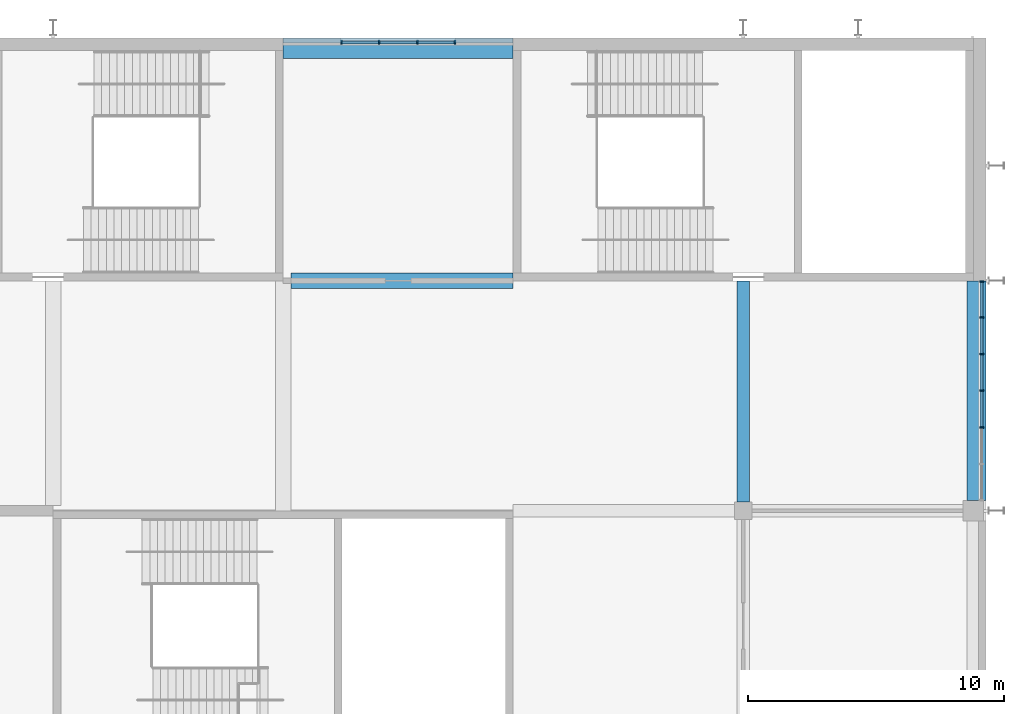
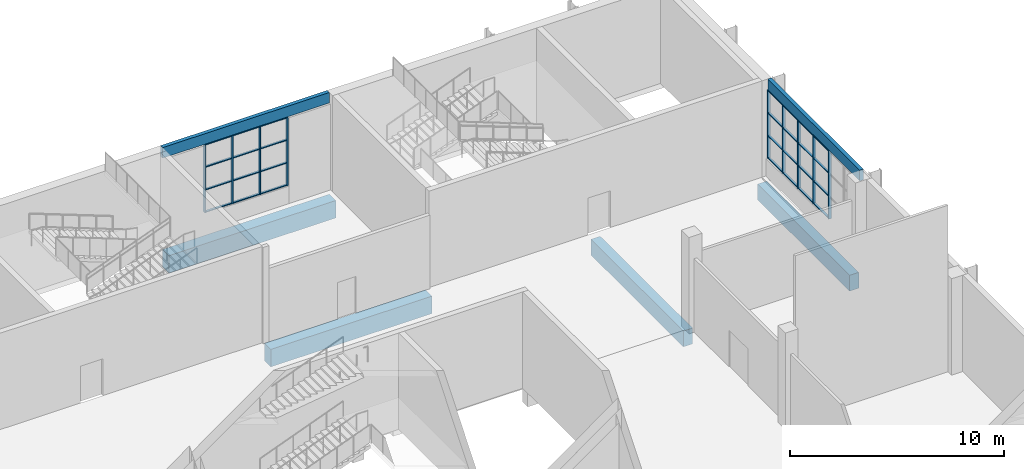
# One storey, part 25 of 84: 37 members, 6 beams, 2 elements without a shape of their own.
"""IFC4 building model written with IfcOpenShell, lengths in metres."""

from ifc_helpers import new_model, si_unit, direction, frame, origin, origin_2d, place, context, subcontext, project, spatial, rectangle, extrude, material, material_profile, profile_set, type_object, element, aggregate, save


model = new_model("IFC4")

# Units and contexts
model_context = context("Model", 3, precision=1e-05, world=origin(), true_north=direction((0.0, 1.0)))
body_context = subcontext(model_context, "Body", "Model", "MODEL_VIEW")
ifc_project = project(units=[si_unit("LENGTHUNIT", "METRE"), si_unit("AREAUNIT", "SQUARE_METRE"), si_unit("VOLUMEUNIT", "CUBIC_METRE"), si_unit("PLANEANGLEUNIT", "RADIAN"), si_unit("MASSUNIT", "GRAM", prefix="KILO")], contexts=[model_context])

# Site, building, storey
site_placement = place(None, origin())
site = spatial("IfcSite", under=ifc_project, at=site_placement, CompositionType="ELEMENT")
building_placement = place(site_placement, origin())
building = spatial("IfcBuilding", under=site, at=building_placement, Name="Silverbay Arena", CompositionType="ELEMENT")
storey_placement = place(building_placement, frame((0.0, 0.0, 28.0)))
storey = spatial("IfcBuildingStorey", under=building, at=storey_placement, Name="L04", CompositionType="ELEMENT", Elevation=28.0)

# Curtain wall, members
ifc_material_1 = material(Name="Aluminium framed curtain wall", Category="aluminium")
curtain_wall_type_1 = type_object("IfcCurtainWallType", Name="Curtain wall 8600 x 3900", PredefinedType="NOTDEFINED", material=ifc_material_1)
curtain_wall_1_placement = place(storey_placement, origin())
curtain_wall_1 = element("IfcCurtainWall", 1, at=curtain_wall_1_placement, inside=storey, type_object=curtain_wall_type_1, Name="East curtain wall L04 bay 13", PredefinedType="NOTDEFINED")
ifc_material_2 = material(Name="Aluminium", Category="aluminium")
ifc_material_profile_1 = material_profile(ifc_material_2, rectangle(XDim=0.159912109375, YDim=0.06005859375, at=origin_2d()), Name="Mullion 60 x 160")
ifc_profile_set_1 = profile_set([ifc_material_profile_1], Name="Aluminium")
member_type_1 = type_object("IfcMemberType", Name="Mullion 60 x 160", PredefinedType="MULLION", material=ifc_profile_set_1)
member_1_placement = place(storey_placement, frame((207.330078125, 129.2666015625, 1.0), z_axis=(0.0, 0.0, 1.0), x_axis=(-1.0, 0.0, 0.0)))
member_1 = element("IfcMember", 2, at=member_1_placement, type_object=member_type_1, Name="CW1 mullion 3", PredefinedType="MULLION", context=body_context, shape_type="SweptSolid", body=[
    extrude(rectangle(XDim=0.159912109375, YDim=0.06005859375, at=origin_2d()), origin(), (0.0, 0.0, 1.0), 3.89990234375),
])
member_2_placement = place(storey_placement, frame((207.330078125, 130.699951171875, 1.0), z_axis=(0.0, 0.0, 1.0), x_axis=(-1.0, 0.0, 0.0)))
member_2 = element("IfcMember", 3, at=member_2_placement, type_object=member_type_1, Name="CW1 mullion 4", PredefinedType="MULLION", context=body_context, shape_type="SweptSolid", body=[
    extrude(rectangle(XDim=0.159912109375, YDim=0.06005859375, at=origin_2d()), origin(), (0.0, 0.0, 1.0), 3.89990234375),
])
member_3_placement = place(storey_placement, frame((207.330078125, 132.13330078125, 1.0), z_axis=(0.0, 0.0, 1.0), x_axis=(-1.0, 0.0, 0.0)))
member_3 = element("IfcMember", 4, at=member_3_placement, type_object=member_type_1, Name="CW1 mullion 5", PredefinedType="MULLION", context=body_context, shape_type="SweptSolid", body=[
    extrude(rectangle(XDim=0.159912109375, YDim=0.06005859375, at=origin_2d()), origin(), (0.0, 0.0, 1.0), 3.89990234375),
])
member_4_placement = place(storey_placement, frame((207.330078125, 133.566650390625, 1.0), z_axis=(0.0, 0.0, 1.0), x_axis=(-1.0, 0.0, 0.0)))
member_4 = element("IfcMember", 5, at=member_4_placement, type_object=member_type_1, Name="CW1 mullion 6", PredefinedType="MULLION", context=body_context, shape_type="SweptSolid", body=[
    extrude(rectangle(XDim=0.159912109375, YDim=0.06005859375, at=origin_2d()), origin(), (0.0, 0.0, 1.0), 3.89990234375),
])
member_5_placement = place(storey_placement, frame((207.330078125, 134.969970703125, 1.0), z_axis=(0.0, 0.0, 1.0), x_axis=(-1.0, 0.0, 0.0)))
member_5 = element("IfcMember", 6, at=member_5_placement, type_object=member_type_1, Name="CW1 mullion 7", PredefinedType="MULLION", context=body_context, shape_type="SweptSolid", body=[
    extrude(rectangle(XDim=0.159912109375, YDim=0.06005859375, at=origin_2d()), origin(), (0.0, 0.0, 1.0), 3.89990234375),
])

ifc_material_3 = material(Name="Aluminium framed curtain wall", Category="aluminium")
curtain_wall_type_2 = type_object("IfcCurtainWallType", Name="Curtain wall 4500 x 3900", PredefinedType="NOTDEFINED", material=ifc_material_3)
curtain_wall_2_placement = place(storey_placement, origin())
curtain_wall_2 = element("IfcCurtainWall", 7, at=curtain_wall_2_placement, inside=storey, type_object=curtain_wall_type_2, Name="North curtain wall L04 bay 15", PredefinedType="NOTDEFINED")
member_6_placement = place(storey_placement, frame((186.719970703125, 144.330078125, 1.0), z_axis=(0.0, 0.0, 1.0), x_axis=(0.0, -1.0, 0.0)))
member_6 = element("IfcMember", 8, at=member_6_placement, type_object=member_type_1, Name="CW15 mullion 1", PredefinedType="MULLION", context=body_context, shape_type="SweptSolid", body=[
    extrude(rectangle(XDim=0.159912109375, YDim=0.06005859375, at=origin_2d()), origin(), (0.0, 0.0, 1.0), 3.89990234375),
])
member_7_placement = place(storey_placement, frame((185.25, 144.330078125, 1.0), z_axis=(0.0, 0.0, 1.0), x_axis=(0.0, -1.0, 0.0)))
member_7 = element("IfcMember", 9, at=member_7_placement, type_object=member_type_1, Name="CW15 mullion 2", PredefinedType="MULLION", context=body_context, shape_type="SweptSolid", body=[
    extrude(rectangle(XDim=0.159912109375, YDim=0.06005859375, at=origin_2d()), origin(), (0.0, 0.0, 1.0), 3.89990234375),
])
member_8_placement = place(storey_placement, frame((183.75, 144.330078125, 1.0), z_axis=(0.0, 0.0, 1.0), x_axis=(0.0, -1.0, 0.0)))
member_8 = element("IfcMember", 10, at=member_8_placement, type_object=member_type_1, Name="CW15 mullion 3", PredefinedType="MULLION", context=body_context, shape_type="SweptSolid", body=[
    extrude(rectangle(XDim=0.159912109375, YDim=0.06005859375, at=origin_2d()), origin(), (0.0, 0.0, 1.0), 3.89990234375),
])
member_9_placement = place(storey_placement, frame((182.280029296875, 144.330078125, 1.0), z_axis=(0.0, 0.0, 1.0), x_axis=(0.0, -1.0, 0.0)))
member_9 = element("IfcMember", 11, at=member_9_placement, type_object=member_type_1, Name="CW15 mullion 4", PredefinedType="MULLION", context=body_context, shape_type="SweptSolid", body=[
    extrude(rectangle(XDim=0.159912109375, YDim=0.06005859375, at=origin_2d()), origin(), (0.0, 0.0, 1.0), 3.89990234375),
])

# Beams
ifc_material_4 = material(Name="Concrete Grade C45", Category="concrete")
ifc_material_profile_2 = material_profile(ifc_material_4, rectangle(XDim=0.5, YDim=0.89990234375, at=origin_2d()), Name="RC 500x900")
ifc_profile_set_2 = profile_set([ifc_material_profile_2], Name="Concrete Grade C45")
beam_type_1 = type_object("IfcBeamType", Name="RC beam 500x900", PredefinedType="BEAM", material=ifc_profile_set_2)
beam_1_placement = place(storey_placement, frame((198.0, 126.35009765625, -0.75), z_axis=(0.0, 1.0, 0.0), x_axis=(-1.0, 0.0, 0.0)))
element("IfcBeam", 12, at=beam_1_placement, inside=storey, type_object=beam_type_1, Name="Floor beam L04 152", PredefinedType="BEAM", context=body_context, shape_type="SweptSolid", body=[
    extrude(rectangle(XDim=0.5, YDim=0.89990234375, at=origin_2d()), origin(), (0.0, 0.0, 1.0), 8.64990234375),
])
beam_2_placement = place(storey_placement, frame((207.0, 126.39990234375, -0.75), z_axis=(0.0, 1.0, 0.0), x_axis=(-1.0, 0.0, 0.0)))
element("IfcBeam", 13, at=beam_2_placement, inside=storey, type_object=beam_type_1, Name="Floor beam L04 160", PredefinedType="BEAM", context=body_context, shape_type="SweptSolid", body=[
    extrude(rectangle(XDim=0.5, YDim=0.89990234375, at=origin_2d()), origin(), (0.0, 0.0, 1.0), 8.60009765625),
])
ifc_material_5 = material(Name="Concrete Grade C45", Category="concrete")
ifc_material_profile_3 = material_profile(ifc_material_5, rectangle(XDim=0.60009765625, YDim=1.0, at=origin_2d()), Name="RC 600x1000")
ifc_profile_set_3 = profile_set([ifc_material_profile_3], Name="Concrete Grade C45")
beam_type_2 = type_object("IfcBeamType", Name="RC beam 600x1000", PredefinedType="BEAM", material=ifc_profile_set_3)
beam_3_placement = place(storey_placement, frame((180.300048828125, 135.0, -0.800048828125), z_axis=(1.0, 0.0, 0.0), x_axis=(0.0, 1.0, 0.0)))
element("IfcBeam", 14, at=beam_3_placement, inside=storey, type_object=beam_type_2, Name="Floor beam L04 071", PredefinedType="BEAM", context=body_context, shape_type="SweptSolid", body=[
    extrude(rectangle(XDim=0.60009765625, YDim=1.0, at=origin_2d()), origin(), (0.0, 0.0, 1.0), 8.699951171875),
])
beam_4_placement = place(storey_placement, frame((180.0, 144.0, -0.800048828125), z_axis=(1.0, 0.0, 0.0), x_axis=(0.0, 1.0, 0.0)))
element("IfcBeam", 15, at=beam_4_placement, inside=storey, type_object=beam_type_2, Name="Floor beam L04 076", PredefinedType="BEAM", context=body_context, shape_type="SweptSolid", body=[
    extrude(rectangle(XDim=0.60009765625, YDim=1.0, at=origin_2d()), origin(), (0.0, 0.0, 1.0), 9.0),
])
ifc_material_6 = material(Name="Concrete Grade C45", Category="concrete")
ifc_material_profile_4 = material_profile(ifc_material_6, rectangle(XDim=0.199951171875, YDim=0.60009765625, at=origin_2d()), Name="RC 200x600")
ifc_profile_set_4 = profile_set([ifc_material_profile_4], Name="Concrete Grade C45")
beam_type_3 = type_object("IfcBeamType", Name="RC facade beam 200x600", PredefinedType="SPANDREL", material=ifc_profile_set_4)
beam_5_placement = place(storey_placement, frame((207.39990234375, 126.39990234375, 5.199951171875), z_axis=(0.0, 1.0, 0.0), x_axis=(-1.0, 0.0, 0.0)))
element("IfcBeam", 16, at=beam_5_placement, inside=storey, type_object=beam_type_3, Name="Facade beam L04 east", PredefinedType="SPANDREL", context=body_context, shape_type="SweptSolid", body=[
    extrude(rectangle(XDim=0.199951171875, YDim=0.60009765625, at=origin_2d()), origin(), (0.0, 0.0, 1.0), 8.60009765625),
])
beam_6_placement = place(storey_placement, frame((180.0, 144.39990234375, 5.199951171875), z_axis=(1.0, 0.0, 0.0), x_axis=(0.0, 1.0, 0.0)))
element("IfcBeam", 17, at=beam_6_placement, inside=storey, type_object=beam_type_3, Name="Facade beam L04 north", PredefinedType="SPANDREL", context=body_context, shape_type="SweptSolid", body=[
    extrude(rectangle(XDim=0.199951171875, YDim=0.60009765625, at=origin_2d()), origin(), (0.0, 0.0, 1.0), 9.0),
])

# Member
ifc_material_7 = material(Name="Aluminium", Category="aluminium")
ifc_material_profile_5 = material_profile(ifc_material_7, rectangle(XDim=0.1201171875, YDim=0.050048828125, at=origin_2d()), Name="Transom 50 x 120")
ifc_profile_set_5 = profile_set([ifc_material_profile_5], Name="Aluminium")
member_type_2 = type_object("IfcMemberType", Name="Transom 50 x 120", PredefinedType="USERDEFINED", material=ifc_profile_set_5)
member_10_placement = place(storey_placement, frame((207.330078125, 129.296630859375, 1.02490234375), z_axis=(0.0, 1.0, 0.0), x_axis=(-1.0, 0.0, 0.0)))
member_10 = element("IfcMember", 18, at=member_10_placement, type_object=member_type_2, Name="CW1 transom 3.1", ObjectType="TRANSOM", PredefinedType="USERDEFINED", context=body_context, shape_type="SweptSolid", body=[
    extrude(rectangle(XDim=0.1201171875, YDim=0.050048828125, at=origin_2d()), origin(), (0.0, 0.0, 1.0), 1.373291015625),
])

member_11_placement = place(storey_placement, frame((207.330078125, 129.296630859375, 2.300048828125), z_axis=(0.0, 1.0, 0.0), x_axis=(-1.0, 0.0, 0.0)))
member_11 = element("IfcMember", 19, at=member_11_placement, type_object=member_type_2, Name="CW1 transom 3.2", ObjectType="TRANSOM", PredefinedType="USERDEFINED", context=body_context, shape_type="SweptSolid", body=[
    extrude(rectangle(XDim=0.1201171875, YDim=0.050048828125, at=origin_2d()), origin(), (0.0, 0.0, 1.0), 1.373291015625),
])

member_12_placement = place(storey_placement, frame((207.330078125, 129.296630859375, 3.60009765625), z_axis=(0.0, 1.0, 0.0), x_axis=(-1.0, 0.0, 0.0)))
member_12 = element("IfcMember", 20, at=member_12_placement, type_object=member_type_2, Name="CW1 transom 3.3", ObjectType="TRANSOM", PredefinedType="USERDEFINED", context=body_context, shape_type="SweptSolid", body=[
    extrude(rectangle(XDim=0.1201171875, YDim=0.050048828125, at=origin_2d()), origin(), (0.0, 0.0, 1.0), 1.373291015625),
])

member_13_placement = place(storey_placement, frame((207.330078125, 129.296630859375, 4.875), z_axis=(0.0, 1.0, 0.0), x_axis=(-1.0, 0.0, 0.0)))
member_13 = element("IfcMember", 21, at=member_13_placement, type_object=member_type_2, Name="CW1 transom 3.4", ObjectType="TRANSOM", PredefinedType="USERDEFINED", context=body_context, shape_type="SweptSolid", body=[
    extrude(rectangle(XDim=0.1201171875, YDim=0.050048828125, at=origin_2d()), origin(), (0.0, 0.0, 1.0), 1.373291015625),
])

member_14_placement = place(storey_placement, frame((207.330078125, 130.72998046875, 1.02490234375), z_axis=(0.0, 1.0, 0.0), x_axis=(-1.0, 0.0, 0.0)))
member_14 = element("IfcMember", 22, at=member_14_placement, type_object=member_type_2, Name="CW1 transom 4.1", ObjectType="TRANSOM", PredefinedType="USERDEFINED", context=body_context, shape_type="SweptSolid", body=[
    extrude(rectangle(XDim=0.1201171875, YDim=0.050048828125, at=origin_2d()), origin(), (0.0, 0.0, 1.0), 1.373291015625),
])

member_15_placement = place(storey_placement, frame((207.330078125, 130.72998046875, 2.300048828125), z_axis=(0.0, 1.0, 0.0), x_axis=(-1.0, 0.0, 0.0)))
member_15 = element("IfcMember", 23, at=member_15_placement, type_object=member_type_2, Name="CW1 transom 4.2", ObjectType="TRANSOM", PredefinedType="USERDEFINED", context=body_context, shape_type="SweptSolid", body=[
    extrude(rectangle(XDim=0.1201171875, YDim=0.050048828125, at=origin_2d()), origin(), (0.0, 0.0, 1.0), 1.373291015625),
])

member_16_placement = place(storey_placement, frame((207.330078125, 130.72998046875, 3.60009765625), z_axis=(0.0, 1.0, 0.0), x_axis=(-1.0, 0.0, 0.0)))
member_16 = element("IfcMember", 24, at=member_16_placement, type_object=member_type_2, Name="CW1 transom 4.3", ObjectType="TRANSOM", PredefinedType="USERDEFINED", context=body_context, shape_type="SweptSolid", body=[
    extrude(rectangle(XDim=0.1201171875, YDim=0.050048828125, at=origin_2d()), origin(), (0.0, 0.0, 1.0), 1.373291015625),
])

member_17_placement = place(storey_placement, frame((207.330078125, 130.72998046875, 4.875), z_axis=(0.0, 1.0, 0.0), x_axis=(-1.0, 0.0, 0.0)))
member_17 = element("IfcMember", 25, at=member_17_placement, type_object=member_type_2, Name="CW1 transom 4.4", ObjectType="TRANSOM", PredefinedType="USERDEFINED", context=body_context, shape_type="SweptSolid", body=[
    extrude(rectangle(XDim=0.1201171875, YDim=0.050048828125, at=origin_2d()), origin(), (0.0, 0.0, 1.0), 1.373291015625),
])

member_18_placement = place(storey_placement, frame((207.330078125, 132.163330078125, 1.02490234375), z_axis=(0.0, 1.0, 0.0), x_axis=(-1.0, 0.0, 0.0)))
member_18 = element("IfcMember", 26, at=member_18_placement, type_object=member_type_2, Name="CW1 transom 5.1", ObjectType="TRANSOM", PredefinedType="USERDEFINED", context=body_context, shape_type="SweptSolid", body=[
    extrude(rectangle(XDim=0.1201171875, YDim=0.050048828125, at=origin_2d()), origin(), (0.0, 0.0, 1.0), 1.373291015625),
])

member_19_placement = place(storey_placement, frame((207.330078125, 132.163330078125, 2.300048828125), z_axis=(0.0, 1.0, 0.0), x_axis=(-1.0, 0.0, 0.0)))
member_19 = element("IfcMember", 27, at=member_19_placement, type_object=member_type_2, Name="CW1 transom 5.2", ObjectType="TRANSOM", PredefinedType="USERDEFINED", context=body_context, shape_type="SweptSolid", body=[
    extrude(rectangle(XDim=0.1201171875, YDim=0.050048828125, at=origin_2d()), origin(), (0.0, 0.0, 1.0), 1.373291015625),
])

member_20_placement = place(storey_placement, frame((207.330078125, 132.163330078125, 3.60009765625), z_axis=(0.0, 1.0, 0.0), x_axis=(-1.0, 0.0, 0.0)))
member_20 = element("IfcMember", 28, at=member_20_placement, type_object=member_type_2, Name="CW1 transom 5.3", ObjectType="TRANSOM", PredefinedType="USERDEFINED", context=body_context, shape_type="SweptSolid", body=[
    extrude(rectangle(XDim=0.1201171875, YDim=0.050048828125, at=origin_2d()), origin(), (0.0, 0.0, 1.0), 1.373291015625),
])

member_21_placement = place(storey_placement, frame((207.330078125, 132.163330078125, 4.875), z_axis=(0.0, 1.0, 0.0), x_axis=(-1.0, 0.0, 0.0)))
member_21 = element("IfcMember", 29, at=member_21_placement, type_object=member_type_2, Name="CW1 transom 5.4", ObjectType="TRANSOM", PredefinedType="USERDEFINED", context=body_context, shape_type="SweptSolid", body=[
    extrude(rectangle(XDim=0.1201171875, YDim=0.050048828125, at=origin_2d()), origin(), (0.0, 0.0, 1.0), 1.373291015625),
])

member_22_placement = place(storey_placement, frame((207.330078125, 133.5966796875, 1.02490234375), z_axis=(0.0, 1.0, 0.0), x_axis=(-1.0, 0.0, 0.0)))
member_22 = element("IfcMember", 30, at=member_22_placement, type_object=member_type_2, Name="CW1 transom 6.1", ObjectType="TRANSOM", PredefinedType="USERDEFINED", context=body_context, shape_type="SweptSolid", body=[
    extrude(rectangle(XDim=0.1201171875, YDim=0.050048828125, at=origin_2d()), origin(), (0.0, 0.0, 1.0), 1.34326171875),
])

member_23_placement = place(storey_placement, frame((207.330078125, 133.5966796875, 2.300048828125), z_axis=(0.0, 1.0, 0.0), x_axis=(-1.0, 0.0, 0.0)))
member_23 = element("IfcMember", 31, at=member_23_placement, type_object=member_type_2, Name="CW1 transom 6.2", ObjectType="TRANSOM", PredefinedType="USERDEFINED", context=body_context, shape_type="SweptSolid", body=[
    extrude(rectangle(XDim=0.1201171875, YDim=0.050048828125, at=origin_2d()), origin(), (0.0, 0.0, 1.0), 1.34326171875),
])

member_24_placement = place(storey_placement, frame((207.330078125, 133.5966796875, 3.60009765625), z_axis=(0.0, 1.0, 0.0), x_axis=(-1.0, 0.0, 0.0)))
member_24 = element("IfcMember", 32, at=member_24_placement, type_object=member_type_2, Name="CW1 transom 6.3", ObjectType="TRANSOM", PredefinedType="USERDEFINED", context=body_context, shape_type="SweptSolid", body=[
    extrude(rectangle(XDim=0.1201171875, YDim=0.050048828125, at=origin_2d()), origin(), (0.0, 0.0, 1.0), 1.34326171875),
])

member_25_placement = place(storey_placement, frame((207.330078125, 133.5966796875, 4.875), z_axis=(0.0, 1.0, 0.0), x_axis=(-1.0, 0.0, 0.0)))
member_25 = element("IfcMember", 33, at=member_25_placement, type_object=member_type_2, Name="CW1 transom 6.4", ObjectType="TRANSOM", PredefinedType="USERDEFINED", context=body_context, shape_type="SweptSolid", body=[
    extrude(rectangle(XDim=0.1201171875, YDim=0.050048828125, at=origin_2d()), origin(), (0.0, 0.0, 1.0), 1.34326171875),
])

aggregate(curtain_wall_1, [member_1, member_2, member_3, member_4, member_5, member_10, member_11, member_12, member_13, member_14, member_15, member_16, member_17, member_18, member_19, member_20, member_21, member_22, member_23, member_24, member_25])

member_26_placement = place(storey_placement, frame((186.68994140625, 144.330078125, 1.02490234375), z_axis=(-1.0, 0.0, 0.0), x_axis=(0.0, -1.0, 0.0)))
member_26 = element("IfcMember", 34, at=member_26_placement, type_object=member_type_2, Name="CW15 transom 1.1", ObjectType="TRANSOM", PredefinedType="USERDEFINED", context=body_context, shape_type="SweptSolid", body=[
    extrude(rectangle(XDim=0.1201171875, YDim=0.050048828125, at=origin_2d()), origin(), (0.0, 0.0, 1.0), 1.409912109375),
])

member_27_placement = place(storey_placement, frame((186.68994140625, 144.330078125, 2.300048828125), z_axis=(-1.0, 0.0, 0.0), x_axis=(0.0, -1.0, 0.0)))
member_27 = element("IfcMember", 35, at=member_27_placement, type_object=member_type_2, Name="CW15 transom 1.2", ObjectType="TRANSOM", PredefinedType="USERDEFINED", context=body_context, shape_type="SweptSolid", body=[
    extrude(rectangle(XDim=0.1201171875, YDim=0.050048828125, at=origin_2d()), origin(), (0.0, 0.0, 1.0), 1.409912109375),
])

member_28_placement = place(storey_placement, frame((186.68994140625, 144.330078125, 3.60009765625), z_axis=(-1.0, 0.0, 0.0), x_axis=(0.0, -1.0, 0.0)))
member_28 = element("IfcMember", 36, at=member_28_placement, type_object=member_type_2, Name="CW15 transom 1.3", ObjectType="TRANSOM", PredefinedType="USERDEFINED", context=body_context, shape_type="SweptSolid", body=[
    extrude(rectangle(XDim=0.1201171875, YDim=0.050048828125, at=origin_2d()), origin(), (0.0, 0.0, 1.0), 1.409912109375),
])

member_29_placement = place(storey_placement, frame((186.68994140625, 144.330078125, 4.875), z_axis=(-1.0, 0.0, 0.0), x_axis=(0.0, -1.0, 0.0)))
member_29 = element("IfcMember", 37, at=member_29_placement, type_object=member_type_2, Name="CW15 transom 1.4", ObjectType="TRANSOM", PredefinedType="USERDEFINED", context=body_context, shape_type="SweptSolid", body=[
    extrude(rectangle(XDim=0.1201171875, YDim=0.050048828125, at=origin_2d()), origin(), (0.0, 0.0, 1.0), 1.409912109375),
])

member_30_placement = place(storey_placement, frame((185.219970703125, 144.330078125, 1.02490234375), z_axis=(-1.0, 0.0, 0.0), x_axis=(0.0, -1.0, 0.0)))
member_30 = element("IfcMember", 38, at=member_30_placement, type_object=member_type_2, Name="CW15 transom 2.1", ObjectType="TRANSOM", PredefinedType="USERDEFINED", context=body_context, shape_type="SweptSolid", body=[
    extrude(rectangle(XDim=0.1201171875, YDim=0.050048828125, at=origin_2d()), origin(), (0.0, 0.0, 1.0), 1.43994140625),
])

member_31_placement = place(storey_placement, frame((185.219970703125, 144.330078125, 2.300048828125), z_axis=(-1.0, 0.0, 0.0), x_axis=(0.0, -1.0, 0.0)))
member_31 = element("IfcMember", 39, at=member_31_placement, type_object=member_type_2, Name="CW15 transom 2.2", ObjectType="TRANSOM", PredefinedType="USERDEFINED", context=body_context, shape_type="SweptSolid", body=[
    extrude(rectangle(XDim=0.1201171875, YDim=0.050048828125, at=origin_2d()), origin(), (0.0, 0.0, 1.0), 1.43994140625),
])

member_32_placement = place(storey_placement, frame((185.219970703125, 144.330078125, 3.60009765625), z_axis=(-1.0, 0.0, 0.0), x_axis=(0.0, -1.0, 0.0)))
member_32 = element("IfcMember", 40, at=member_32_placement, type_object=member_type_2, Name="CW15 transom 2.3", ObjectType="TRANSOM", PredefinedType="USERDEFINED", context=body_context, shape_type="SweptSolid", body=[
    extrude(rectangle(XDim=0.1201171875, YDim=0.050048828125, at=origin_2d()), origin(), (0.0, 0.0, 1.0), 1.43994140625),
])

member_33_placement = place(storey_placement, frame((185.219970703125, 144.330078125, 4.875), z_axis=(-1.0, 0.0, 0.0), x_axis=(0.0, -1.0, 0.0)))
member_33 = element("IfcMember", 41, at=member_33_placement, type_object=member_type_2, Name="CW15 transom 2.4", ObjectType="TRANSOM", PredefinedType="USERDEFINED", context=body_context, shape_type="SweptSolid", body=[
    extrude(rectangle(XDim=0.1201171875, YDim=0.050048828125, at=origin_2d()), origin(), (0.0, 0.0, 1.0), 1.43994140625),
])

member_34_placement = place(storey_placement, frame((183.719970703125, 144.330078125, 1.02490234375), z_axis=(-1.0, 0.0, 0.0), x_axis=(0.0, -1.0, 0.0)))
member_34 = element("IfcMember", 42, at=member_34_placement, type_object=member_type_2, Name="CW15 transom 3.1", ObjectType="TRANSOM", PredefinedType="USERDEFINED", context=body_context, shape_type="SweptSolid", body=[
    extrude(rectangle(XDim=0.1201171875, YDim=0.050048828125, at=origin_2d()), origin(), (0.0, 0.0, 1.0), 1.409912109375),
])

member_35_placement = place(storey_placement, frame((183.719970703125, 144.330078125, 2.300048828125), z_axis=(-1.0, 0.0, 0.0), x_axis=(0.0, -1.0, 0.0)))
member_35 = element("IfcMember", 43, at=member_35_placement, type_object=member_type_2, Name="CW15 transom 3.2", ObjectType="TRANSOM", PredefinedType="USERDEFINED", context=body_context, shape_type="SweptSolid", body=[
    extrude(rectangle(XDim=0.1201171875, YDim=0.050048828125, at=origin_2d()), origin(), (0.0, 0.0, 1.0), 1.409912109375),
])

member_36_placement = place(storey_placement, frame((183.719970703125, 144.330078125, 3.60009765625), z_axis=(-1.0, 0.0, 0.0), x_axis=(0.0, -1.0, 0.0)))
member_36 = element("IfcMember", 44, at=member_36_placement, type_object=member_type_2, Name="CW15 transom 3.3", ObjectType="TRANSOM", PredefinedType="USERDEFINED", context=body_context, shape_type="SweptSolid", body=[
    extrude(rectangle(XDim=0.1201171875, YDim=0.050048828125, at=origin_2d()), origin(), (0.0, 0.0, 1.0), 1.409912109375),
])

member_37_placement = place(storey_placement, frame((183.719970703125, 144.330078125, 4.875), z_axis=(-1.0, 0.0, 0.0), x_axis=(0.0, -1.0, 0.0)))
member_37 = element("IfcMember", 45, at=member_37_placement, type_object=member_type_2, Name="CW15 transom 3.4", ObjectType="TRANSOM", PredefinedType="USERDEFINED", context=body_context, shape_type="SweptSolid", body=[
    extrude(rectangle(XDim=0.1201171875, YDim=0.050048828125, at=origin_2d()), origin(), (0.0, 0.0, 1.0), 1.409912109375),
])

aggregate(curtain_wall_2, [member_6, member_7, member_8, member_9, member_26, member_27, member_28, member_29, member_30, member_31, member_32, member_33, member_34, member_35, member_36, member_37])

save(model, "model.ifc")
